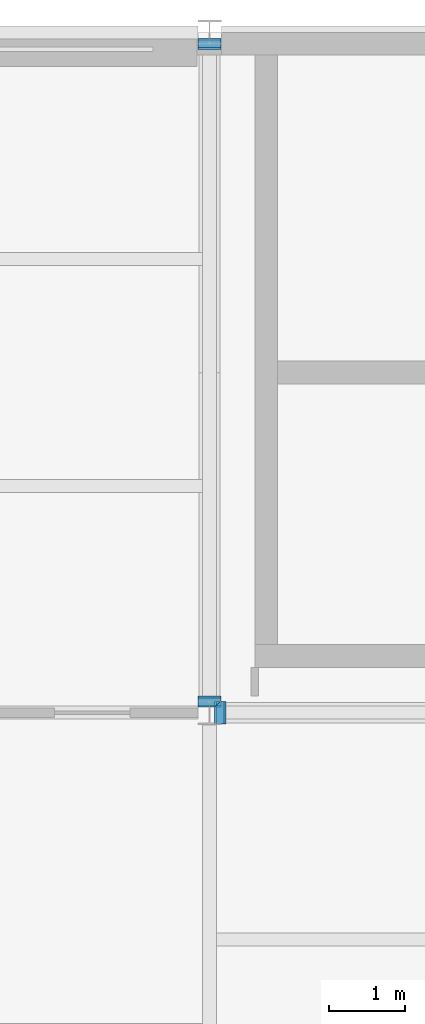
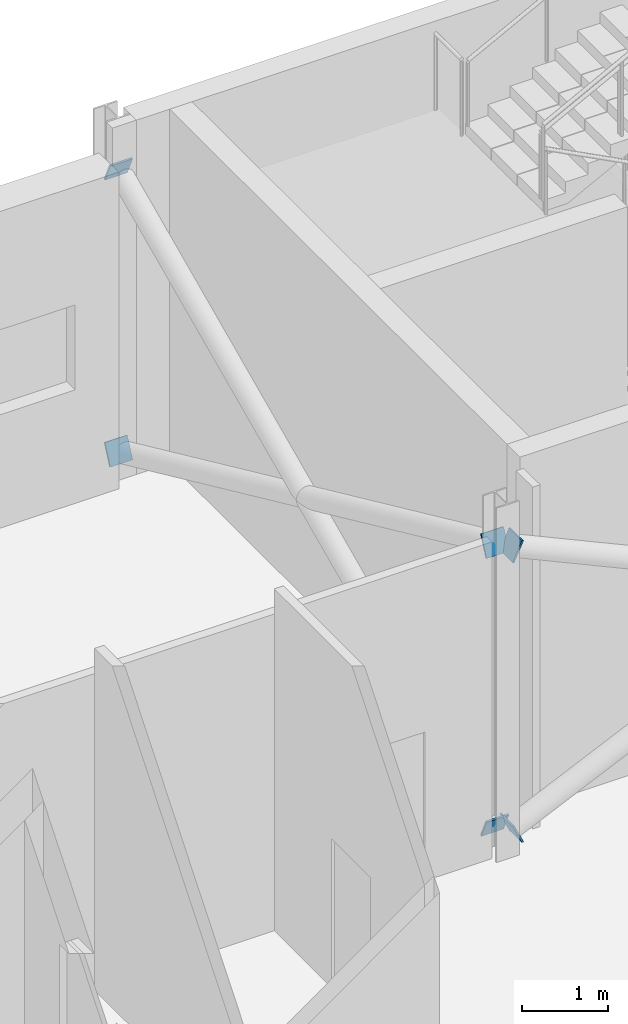
# One storey, part 104 of 115: 6 discrete accessories.
"""IFC4 building model written with IfcOpenShell, lengths in metres."""

import ifcopenshell
import ifcopenshell.guid

model = None  # the IFC model being written
_history = None  # IfcOwnerHistory: only IFC2X3 demands one
_inside = {}  # id of a spatial element -> (the spatial element, [elements in it])
_under = {}  # id of a project, library or spatial element -> (it, [spatial elements below it])
_declared = {}  # id of a project -> (the project, [libraries it declares])
_typed = {}  # id of a type object -> (the type object, [elements of that type])
_made_of = {}  # id of a material, layer set ... -> (it, [elements and type objects made of it])


def new_model(schema):
    """Start an empty IFC model of exactly this schema.

    Asked for "IFC4X3", IfcOpenShell would pick the latest addendum, in which some entities
    have other attributes; the version numbers below select the first issue.
    IFC2X3 requires an IfcOwnerHistory on every rooted entity: one is made here for all.
    """
    global model, _history
    if schema == "IFC4X3":
        model = ifcopenshell.file(schema_version=(4, 3, 0, 0))
    else:
        model = ifcopenshell.file(schema=schema)
    _inside.clear()
    _under.clear()
    _declared.clear()
    _typed.clear()
    _made_of.clear()
    _history = None
    if model.schema == "IFC2X3":
        org = make("IfcOrganization", Name="unknown")
        user = make(
            "IfcPersonAndOrganization",
            ThePerson=make("IfcPerson", FamilyName="unknown"),
            TheOrganization=org,
        )
        app = make(
            "IfcApplication",
            ApplicationDeveloper=org,
            Version="unknown",
            ApplicationFullName="unknown",
            ApplicationIdentifier="unknown",
        )
        _history = make(
            "IfcOwnerHistory",
            OwningUser=user,
            OwningApplication=app,
            ChangeAction="ADDED",
            CreationDate=0,
        )
    return model


def make(cls, **values):
    """One entity of the class cls with the attributes given. An attribute that is None is left unset."""
    return model.create_entity(
        cls, **{name: value for name, value in values.items() if value is not None}
    )


def rooted(cls, **values):
    """An entity with a GlobalId (a new one), such as an element, a storey or a relation."""
    return make(cls, GlobalId=ifcopenshell.guid.new(), OwnerHistory=_history, **values)


def si_unit(unit_type, name, prefix=None):
    """IfcSIUnit, for example si_unit("LENGTHUNIT", "METRE", prefix="MILLI")."""
    return make("IfcSIUnit", UnitType=unit_type, Prefix=prefix, Name=name)


def assignment(units):
    """IfcUnitAssignment: the units of a project."""
    return None if units is None else make("IfcUnitAssignment", Units=units)


def point(xyz):
    """IfcCartesianPoint."""
    return None if xyz is None else make("IfcCartesianPoint", Coordinates=xyz)


def direction(xyz):
    """IfcDirection."""
    return None if xyz is None else make("IfcDirection", DirectionRatios=xyz)


def frame(location, z_axis=None, x_axis=None):
    """IfcAxis2Placement3D, a coordinate frame: its origin and axes. An axis left out is left unset."""
    return make(
        "IfcAxis2Placement3D",
        Location=point(location),
        Axis=direction(z_axis),
        RefDirection=direction(x_axis),
    )


def origin():
    """The frame at (0, 0, 0) with its axes left unset."""
    return frame((0.0, 0.0, 0.0))


def place(relative_to, where):
    """IfcLocalPlacement: puts the frame where relative to a parent placement (None: the world)."""
    return make(
        "IfcLocalPlacement", PlacementRelTo=relative_to, RelativePlacement=where
    )


def context(
    kind, dimensions, precision=None, world=None, true_north=None, identifier=None
):
    """IfcGeometricRepresentationContext, for example the 3D "Model" context."""
    return make(
        "IfcGeometricRepresentationContext",
        ContextIdentifier=identifier,
        ContextType=kind,
        CoordinateSpaceDimension=dimensions,
        Precision=precision,
        WorldCoordinateSystem=world,
        TrueNorth=true_north,
    )


def subcontext(parent, identifier, kind, view, scale=None):
    """IfcGeometricRepresentationSubContext, for example "Body" below "Model"."""
    return make(
        "IfcGeometricRepresentationSubContext",
        ContextIdentifier=identifier,
        ContextType=kind,
        ParentContext=parent,
        TargetScale=scale,
        TargetView=view,
    )


def project(units=None, contexts=None):
    """IfcProject with its units and contexts."""
    return rooted(
        "IfcProject",
        Name="project",
        RepresentationContexts=contexts,
        UnitsInContext=assignment(units),
    )


def spatial(cls, under=None, at=None, **own):
    """A site, building, storey or space (cls), placed at a placement, below another one or the project."""
    s = rooted(cls, ObjectPlacement=at, **own)
    if under is not None:
        _under.setdefault(under.id(), (under, []))[1].append(s)
    return s


def polyline(points):
    """IfcPolyline through the points."""
    return make("IfcPolyline", Points=[point(p) for p in points])


def outline(outer, holes=None, kind="AREA"):
    """IfcArbitraryClosedProfileDef: a profile drawn as a closed curve; with holes, ...WithVoids."""
    if holes is None:
        return make("IfcArbitraryClosedProfileDef", ProfileType=kind, OuterCurve=outer)
    return make(
        "IfcArbitraryProfileDefWithVoids",
        ProfileType=kind,
        OuterCurve=outer,
        InnerCurves=holes,
    )


def extrude(swept, where, along, depth):
    """IfcExtrudedAreaSolid: the profile swept, set in the frame where, extruded along a direction by depth."""
    return make(
        "IfcExtrudedAreaSolid",
        SweptArea=swept,
        Position=where,
        ExtrudedDirection=direction(along),
        Depth=depth,
    )


def shape(context_of_items, identifier, shape_type, items):
    """IfcShapeRepresentation: the items that make up one representation, for example the "Body"."""
    return make(
        "IfcShapeRepresentation",
        ContextOfItems=context_of_items,
        RepresentationIdentifier=identifier,
        RepresentationType=shape_type,
        Items=items,
    )


def material(Name=None, Category=None):
    """IfcMaterial."""
    return make("IfcMaterial", Name=Name, Category=Category)


def layer(
    of_material, thickness, ventilated=None, Name=None, Category=None, Priority=None
):
    """IfcMaterialLayer: one layer of a wall or slab, of a material (None: an air gap)."""
    return make(
        "IfcMaterialLayer",
        Material=of_material,
        LayerThickness=thickness,
        IsVentilated=ventilated,
        Name=Name,
        Category=Category,
        Priority=Priority,
    )


def layer_set(layers, Name=None):
    """IfcMaterialLayerSet."""
    return make("IfcMaterialLayerSet", MaterialLayers=layers, LayerSetName=Name)


def made_of(thing, what):
    """Note that an element or type object is made of a material, layer set ...; save() writes the relation."""
    if what is not None:
        _made_of.setdefault(what.id(), (what, []))[1].append(thing)
    return thing


def type_object(cls, material=None, **own):
    """A type object (cls), such as IfcWallType, which elements share."""
    return made_of(rooted(cls, **own), material)


def element(
    cls,
    number,
    at=None,
    inside=None,
    cuts=None,
    type_object=None,
    material=None,
    context=None,
    identifier="Body",
    shape_type=None,
    held_by="IfcProductDefinitionShape",
    body=None,
    shapes=None,
    **own,
):
    """One element of the class cls, such as IfcWall. Its Tag is "e" and its number.

    at: its placement. inside: the storey or other place that contains it. cuts: it is an
    opening in that element (IfcRelVoidsElement). A single representation is given by context,
    identifier, shape_type and body (its items); several are given by shapes. held_by: the class
    of the entity that holds the representations. save() writes the other relations.
    """
    e = rooted(cls, Tag="e%d" % number, ObjectPlacement=at, **own)
    if body is not None:
        shapes = [shape(context, identifier, shape_type, body)]
    if shapes is not None:
        e.Representation = make(held_by, Representations=shapes)
    if inside is not None:
        _inside.setdefault(inside.id(), (inside, []))[1].append(e)
    if cuts is not None:
        rooted(
            "IfcRelVoidsElement", RelatingBuildingElement=cuts, RelatedOpeningElement=e
        )
    if type_object is not None:
        _typed.setdefault(type_object.id(), (type_object, []))[1].append(e)
    return made_of(e, material)


def aggregate(whole, parts):
    """IfcRelAggregates: a whole, such as a stair, and the parts it consists of."""
    return rooted("IfcRelAggregates", RelatingObject=whole, RelatedObjects=parts)


def save(model, path):
    """Write the relations noted so far, then the file.

    IfcRelAggregates (storeys below a building ...), IfcRelContainedInSpatialStructure (elements
    in a storey), IfcRelDefinesByType, IfcRelAssociatesMaterial and IfcRelDeclares: one each for
    every whole, place, type object, material and project.
    """
    for whole, parts in _under.values():
        aggregate(whole, parts)
    for where, things in _inside.values():
        rooted(
            "IfcRelContainedInSpatialStructure",
            RelatedElements=things,
            RelatingStructure=where,
        )
    for kind, things in _typed.values():
        rooted("IfcRelDefinesByType", RelatedObjects=things, RelatingType=kind)
    for what, things in _made_of.values():
        rooted("IfcRelAssociatesMaterial", RelatedObjects=things, RelatingMaterial=what)
    for by, libraries in _declared.values():
        rooted("IfcRelDeclares", RelatingContext=by, RelatedDefinitions=libraries)
    model.write(path)


model = new_model("IFC4")

# Units and contexts
model_context = context("Model", 3, precision=1e-05, world=origin(), true_north=direction((0.0, 1.0)))
body_context = subcontext(model_context, "Body", "Model", "MODEL_VIEW")
ifc_project = project(units=[si_unit("LENGTHUNIT", "METRE"), si_unit("AREAUNIT", "SQUARE_METRE"), si_unit("VOLUMEUNIT", "CUBIC_METRE"), si_unit("PLANEANGLEUNIT", "RADIAN"), si_unit("MASSUNIT", "GRAM", prefix="KILO")], contexts=[model_context])

# Site, building, storey
site_placement = place(None, origin())
site = spatial("IfcSite", under=ifc_project, at=site_placement, CompositionType="ELEMENT")
building_placement = place(site_placement, origin())
building = spatial("IfcBuilding", under=site, at=building_placement, Name="Shorebreak Coast Museum", CompositionType="ELEMENT")
storey_placement = place(building_placement, frame((0.0, 0.0, 11.0)))
storey = spatial("IfcBuildingStorey", under=building, at=storey_placement, Name="L02", CompositionType="ELEMENT", Elevation=11.0)

# Discrete accessories
ifc_material = material(Name="Steel Grade 300", Category="steel")
ifc_layer = layer(ifc_material, 0.02490234375)
ifc_layer_set = layer_set([ifc_layer], Name="Steel Grade 300")
discrete_accessory_type = type_object("IfcDiscreteAccessoryType", Name="End plate 300 x 300 x 25", PredefinedType="BRACKET", material=ifc_layer_set)
discrete_accessory_1_placement = place(storey_placement, frame((63.2158203125, 107.85009765625, 0.16357421875), z_axis=(0.909360103086, 0.0, 0.416009859156), x_axis=(0.0, 1.0, 0.0)))
element("IfcDiscreteAccessory", 1, at=discrete_accessory_1_placement, inside=storey, type_object=discrete_accessory_type, Name="End plate X-brace bay 09 L02 diagonal 1 end 1", PredefinedType="BRACKET", context=body_context, shape_type="SweptSolid", body=[
    extrude(outline(polyline([(0.0, 0.0), (0.2998046875, 0.0), (0.2998046875, 0.29988678544336883), (0.0, 0.29988678544336883), (0.0, 0.0)])), origin(), (0.0, 0.0, -1.0), 0.02490234375),
])
discrete_accessory_2_placement = place(storey_placement, frame((63.068359375, 108.14990234375, 4.14892578125), z_axis=(-0.909500839953, 0.0, 0.415702083378), x_axis=(0.0, -1.0, 0.0)))
element("IfcDiscreteAccessory", 2, at=discrete_accessory_2_placement, inside=storey, type_object=discrete_accessory_type, Name="End plate X-brace bay 09 L02 diagonal 2 end 2", PredefinedType="BRACKET", context=body_context, shape_type="SweptSolid", body=[
    extrude(outline(polyline([(0.0, 0.0), (0.2998046875, 0.0), (0.2998046875, 0.30010881437343706), (0.0, 0.30010881437343706), (0.0, 0.0)])), origin(), (0.0, 0.0, -1.0), 0.02490234375),
])
discrete_accessory_3_placement = place(storey_placement, frame((63.14990234375, 108.2197265625, 0.16357421875), z_axis=(0.0, 0.909051978606, 0.416682733255), x_axis=(-1.0, 0.0, 0.0)))
element("IfcDiscreteAccessory", 3, at=discrete_accessory_3_placement, inside=storey, type_object=discrete_accessory_type, Name="End plate X-brace bay 10 L02 diagonal 1 end 1", PredefinedType="BRACKET", context=body_context, shape_type="SweptSolid", body=[
    extrude(outline(polyline([(0.0, 0.0), (0.2998046875, 0.0), (0.2998046875, 0.2999884325022589), (0.0, 0.2999884325022589), (0.0, 0.0)])), origin(), (0.0, 0.0, -1.0), 0.02490234375),
])
discrete_accessory_4_placement = place(storey_placement, frame((63.14990234375, 116.921630859375, 4.14892578125), z_axis=(0.0, 0.909193123375, 0.416374668308), x_axis=(-1.0, 0.0, 0.0)))
element("IfcDiscreteAccessory", 4, at=discrete_accessory_4_placement, inside=storey, type_object=discrete_accessory_type, Name="End plate X-brace bay 10 L02 diagonal 1 end 2", PredefinedType="BRACKET", context=body_context, shape_type="SweptSolid", body=[
    extrude(outline(polyline([(0.0, 0.0), (0.2998046875, 0.0), (0.2998046875, 0.30021038625643076), (0.0, 0.30021038625643076), (0.0, 0.0)])), origin(), (0.0, 0.0, -1.0), 0.02490234375),
])
discrete_accessory_5_placement = place(storey_placement, frame((62.85009765625, 116.77392578125, 0.16357421875), z_axis=(0.0, -0.909051978606, 0.416682733255), x_axis=(1.0, 0.0, 0.0)))
element("IfcDiscreteAccessory", 5, at=discrete_accessory_5_placement, inside=storey, type_object=discrete_accessory_type, Name="End plate X-brace bay 10 L02 diagonal 2 end 1", PredefinedType="BRACKET", context=body_context, shape_type="SweptSolid", body=[
    extrude(outline(polyline([(0.0, 0.0), (0.2998046875, 0.0), (0.2998046875, 0.2999884325022589), (0.0, 0.2999884325022589), (0.0, 0.0)])), origin(), (0.0, 0.0, -1.0), 0.02490234375),
])
discrete_accessory_6_placement = place(storey_placement, frame((62.85009765625, 108.072021484375, 4.14892578125), z_axis=(0.0, -0.909193123375, 0.416374668308), x_axis=(1.0, 0.0, 0.0)))
element("IfcDiscreteAccessory", 6, at=discrete_accessory_6_placement, inside=storey, type_object=discrete_accessory_type, Name="End plate X-brace bay 10 L02 diagonal 2 end 2", PredefinedType="BRACKET", context=body_context, shape_type="SweptSolid", body=[
    extrude(outline(polyline([(0.0, 0.0), (0.2998046875, 0.0), (0.2998046875, 0.30021038625643076), (0.0, 0.30021038625643076), (0.0, 0.0)])), origin(), (0.0, 0.0, -1.0), 0.02490234375),
])

save(model, "model.ifc")
